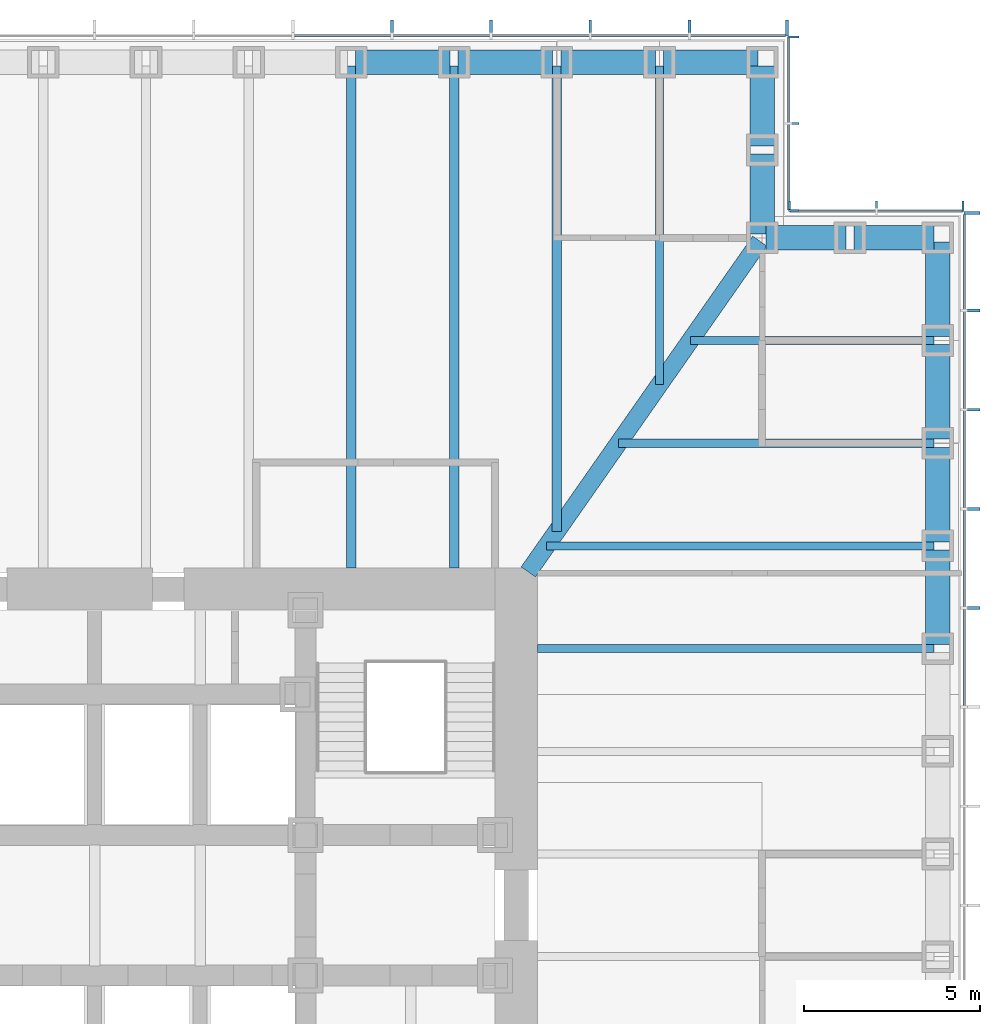
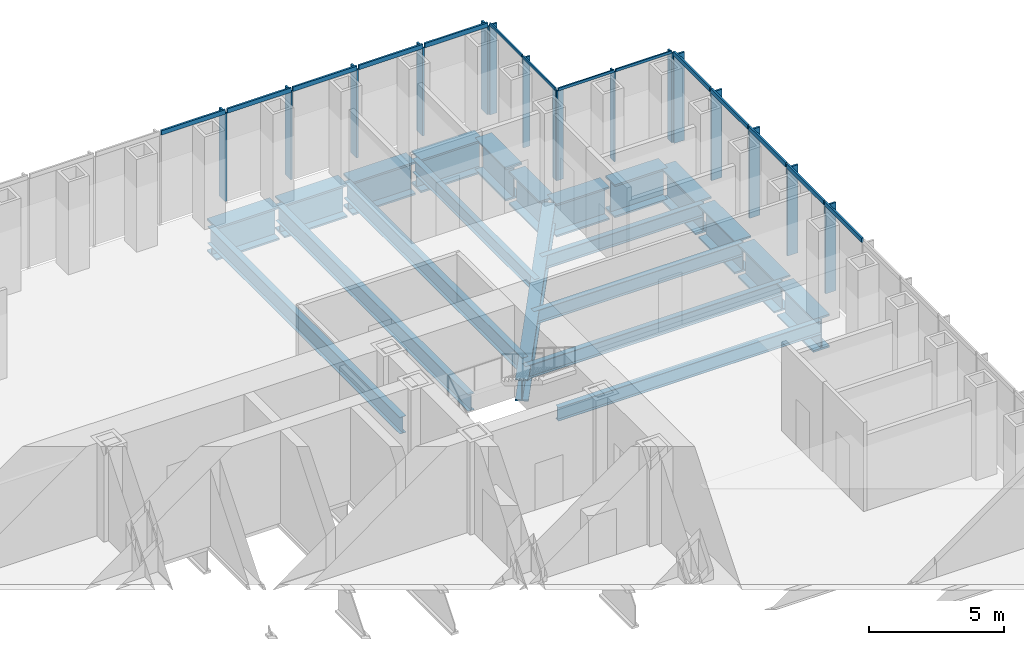
# One storey, part 6 of 17: 30 members, 21 beams, 4 elements without a shape of their own.
"""IFC4 building model written with IfcOpenShell, lengths in metres."""

from ifc_helpers import new_model, si_unit, direction, frame, origin, origin_2d, place, context, subcontext, project, spatial, rectangle, i_section, extrude, material, material_profile, profile_set, type_object, element, aggregate, save


model = new_model("IFC4")

# Units and contexts
model_context = context("Model", 3, precision=1e-05, world=origin(), true_north=direction((0.0, 1.0)))
body_context = subcontext(model_context, "Body", "Model", "MODEL_VIEW")
ifc_project = project(units=[si_unit("LENGTHUNIT", "METRE"), si_unit("AREAUNIT", "SQUARE_METRE"), si_unit("VOLUMEUNIT", "CUBIC_METRE"), si_unit("PLANEANGLEUNIT", "RADIAN"), si_unit("MASSUNIT", "GRAM", prefix="KILO")], contexts=[model_context])

# Site, building, storey
site_placement = place(None, origin())
site = spatial("IfcSite", under=ifc_project, at=site_placement, CompositionType="ELEMENT")
building_placement = place(site_placement, origin())
building = spatial("IfcBuilding", under=site, at=building_placement, Name="Daluyong Arena Tower", CompositionType="ELEMENT")
storey_placement = place(building_placement, frame((0.0, 0.0, 60.10009765625)))
storey = spatial("IfcBuildingStorey", under=building, at=storey_placement, Name="L12", CompositionType="ELEMENT", Elevation=60.10009765625)

# Curtain wall, members
ifc_material_1 = material(Name="Bronze anodised aluminium and glass", Category="aluminium")
curtain_wall_type_1 = type_object("IfcCurtainWallType", Name="Curtain wall CW1", PredefinedType="USERDEFINED", material=ifc_material_1)
curtain_wall_1_placement = place(storey_placement, origin())
curtain_wall_1 = element("IfcCurtainWall", 1, at=curtain_wall_1_placement, inside=storey, type_object=curtain_wall_type_1, Name="curtain wall L12 E", ObjectType="UNITISED CURTAIN WALL", PredefinedType="USERDEFINED")
ifc_material_2 = material(Name="Bronze anodised aluminium fin", Category="aluminium")
ifc_material_profile_1 = material_profile(ifc_material_2, rectangle(XDim=0.449951171875, YDim=0.080078125, at=origin_2d()))
ifc_profile_set_1 = profile_set([ifc_material_profile_1], Name="Bronze anodised aluminium fin")
member_type_1 = type_object("IfcMemberType", Name="CW1 bronze fin 450x80", PredefinedType="MULLION", material=ifc_profile_set_1)
member_1_placement = place(storey_placement, frame((80.97509765625, 88.46435546875, 0.0), z_axis=(0.0, 0.0, 1.0), x_axis=(-1.0, 0.0, 0.0)))
member_1 = element("IfcMember", 2, at=member_1_placement, type_object=member_type_1, Name="curtain wall L12 E fin 11", PredefinedType="MULLION", context=body_context, shape_type="SweptSolid", body=[
    extrude(rectangle(XDim=0.449951171875, YDim=0.080078125, at=origin_2d()), origin(), (0.0, 0.0, 1.0), 4.0),
])
member_2_placement = place(storey_placement, frame((80.97509765625, 91.28564453125, 0.0), z_axis=(0.0, 0.0, 1.0), x_axis=(-1.0, 0.0, 0.0)))
member_2 = element("IfcMember", 3, at=member_2_placement, type_object=member_type_1, Name="curtain wall L12 E fin 12", PredefinedType="MULLION", context=body_context, shape_type="SweptSolid", body=[
    extrude(rectangle(XDim=0.449951171875, YDim=0.080078125, at=origin_2d()), origin(), (0.0, 0.0, 1.0), 4.0),
])
member_3_placement = place(storey_placement, frame((80.97509765625, 94.107177734375, 0.0), z_axis=(0.0, 0.0, 1.0), x_axis=(-1.0, 0.0, 0.0)))
member_3 = element("IfcMember", 4, at=member_3_placement, type_object=member_type_1, Name="curtain wall L12 E fin 13", PredefinedType="MULLION", context=body_context, shape_type="SweptSolid", body=[
    extrude(rectangle(XDim=0.449951171875, YDim=0.080078125, at=origin_2d()), origin(), (0.0, 0.0, 1.0), 4.0),
])
member_4_placement = place(storey_placement, frame((80.97509765625, 96.928466796875, 0.0), z_axis=(0.0, 0.0, 1.0), x_axis=(-1.0, 0.0, 0.0)))
member_4 = element("IfcMember", 5, at=member_4_placement, type_object=member_type_1, Name="curtain wall L12 E fin 14", PredefinedType="MULLION", context=body_context, shape_type="SweptSolid", body=[
    extrude(rectangle(XDim=0.449951171875, YDim=0.080078125, at=origin_2d()), origin(), (0.0, 0.0, 1.0), 4.0),
])
member_5_placement = place(storey_placement, frame((80.97509765625, 99.7099609375, 0.0), z_axis=(0.0, 0.0, 1.0), x_axis=(-1.0, 0.0, 0.0)))
member_5 = element("IfcMember", 6, at=member_5_placement, type_object=member_type_1, Name="curtain wall L12 E fin 15", PredefinedType="MULLION", context=body_context, shape_type="SweptSolid", body=[
    extrude(rectangle(XDim=0.449951171875, YDim=0.080078125, at=origin_2d()), origin(), (0.0, 0.0, 1.0), 4.0),
])

curtain_wall_2_placement = place(storey_placement, origin())
curtain_wall_2 = element("IfcCurtainWall", 7, at=curtain_wall_2_placement, inside=storey, type_object=curtain_wall_type_1, Name="curtain wall L12 N", ObjectType="UNITISED CURTAIN WALL", PredefinedType="USERDEFINED")
member_6_placement = place(storey_placement, frame((75.7099609375, 104.97509765625, 0.0), z_axis=(0.0, 0.0, 1.0), x_axis=(0.0, -1.0, 0.0)))
member_6 = element("IfcMember", 8, at=member_6_placement, type_object=member_type_1, Name="curtain wall L12 N fin 1", PredefinedType="MULLION", context=body_context, shape_type="SweptSolid", body=[
    extrude(rectangle(XDim=0.449951171875, YDim=0.080078125, at=origin_2d()), origin(), (0.0, 0.0, 1.0), 4.0),
])
member_7_placement = place(storey_placement, frame((72.928466796875, 104.97509765625, 0.0), z_axis=(0.0, 0.0, 1.0), x_axis=(0.0, -1.0, 0.0)))
member_7 = element("IfcMember", 9, at=member_7_placement, type_object=member_type_1, Name="curtain wall L12 N fin 2", PredefinedType="MULLION", context=body_context, shape_type="SweptSolid", body=[
    extrude(rectangle(XDim=0.449951171875, YDim=0.080078125, at=origin_2d()), origin(), (0.0, 0.0, 1.0), 4.0),
])
member_8_placement = place(storey_placement, frame((70.107177734375, 104.97509765625, 0.0), z_axis=(0.0, 0.0, 1.0), x_axis=(0.0, -1.0, 0.0)))
member_8 = element("IfcMember", 10, at=member_8_placement, type_object=member_type_1, Name="curtain wall L12 N fin 3", PredefinedType="MULLION", context=body_context, shape_type="SweptSolid", body=[
    extrude(rectangle(XDim=0.449951171875, YDim=0.080078125, at=origin_2d()), origin(), (0.0, 0.0, 1.0), 4.0),
])
member_9_placement = place(storey_placement, frame((67.28564453125, 104.97509765625, 0.0), z_axis=(0.0, 0.0, 1.0), x_axis=(0.0, -1.0, 0.0)))
member_9 = element("IfcMember", 11, at=member_9_placement, type_object=member_type_1, Name="curtain wall L12 N fin 4", PredefinedType="MULLION", context=body_context, shape_type="SweptSolid", body=[
    extrude(rectangle(XDim=0.449951171875, YDim=0.080078125, at=origin_2d()), origin(), (0.0, 0.0, 1.0), 4.0),
])
member_10_placement = place(storey_placement, frame((64.46435546875, 104.97509765625, 0.0), z_axis=(0.0, 0.0, 1.0), x_axis=(0.0, -1.0, 0.0)))
member_10 = element("IfcMember", 12, at=member_10_placement, type_object=member_type_1, Name="curtain wall L12 N fin 5", PredefinedType="MULLION", context=body_context, shape_type="SweptSolid", body=[
    extrude(rectangle(XDim=0.449951171875, YDim=0.080078125, at=origin_2d()), origin(), (0.0, 0.0, 1.0), 4.0),
])

# Member
ifc_material_3 = material(Name="Bronze anodised aluminium", Category="aluminium")
ifc_material_profile_2 = material_profile(ifc_material_3, rectangle(XDim=0.080078125, YDim=0.199951171875, at=origin_2d()))
ifc_profile_set_2 = profile_set([ifc_material_profile_2], Name="Bronze anodised aluminium")
member_type_2 = type_object("IfcMemberType", Name="CW1 stack transom 200x80", PredefinedType="USERDEFINED", material=ifc_profile_set_2)
member_11_placement = place(storey_placement, frame((80.75, 85.682861328125, 4.099853515625), z_axis=(0.0, 1.0, 0.0), x_axis=(-1.0, 0.0, 0.0)))
member_11 = element("IfcMember", 13, at=member_11_placement, type_object=member_type_2, Name="curtain wall L12 E transom 10", ObjectType="TRANSOM", PredefinedType="USERDEFINED", context=body_context, shape_type="SweptSolid", body=[
    extrude(rectangle(XDim=0.080078125, YDim=0.199951171875, at=origin_2d()), origin(), (0.0, 0.0, 1.0), 2.741455078125),
])

member_12_placement = place(storey_placement, frame((80.75, 88.50439453125, 4.099853515625), z_axis=(0.0, 1.0, 0.0), x_axis=(-1.0, 0.0, 0.0)))
member_12 = element("IfcMember", 14, at=member_12_placement, type_object=member_type_2, Name="curtain wall L12 E transom 11", ObjectType="TRANSOM", PredefinedType="USERDEFINED", context=body_context, shape_type="SweptSolid", body=[
    extrude(rectangle(XDim=0.080078125, YDim=0.199951171875, at=origin_2d()), origin(), (0.0, 0.0, 1.0), 2.7412109375),
])

member_13_placement = place(storey_placement, frame((80.75, 91.32568359375, 4.099853515625), z_axis=(0.0, 1.0, 0.0), x_axis=(-1.0, 0.0, 0.0)))
member_13 = element("IfcMember", 15, at=member_13_placement, type_object=member_type_2, Name="curtain wall L12 E transom 12", ObjectType="TRANSOM", PredefinedType="USERDEFINED", context=body_context, shape_type="SweptSolid", body=[
    extrude(rectangle(XDim=0.080078125, YDim=0.199951171875, at=origin_2d()), origin(), (0.0, 0.0, 1.0), 2.741455078125),
])

member_14_placement = place(storey_placement, frame((80.75, 94.147216796875, 4.099853515625), z_axis=(0.0, 1.0, 0.0), x_axis=(-1.0, 0.0, 0.0)))
member_14 = element("IfcMember", 16, at=member_14_placement, type_object=member_type_2, Name="curtain wall L12 E transom 13", ObjectType="TRANSOM", PredefinedType="USERDEFINED", context=body_context, shape_type="SweptSolid", body=[
    extrude(rectangle(XDim=0.080078125, YDim=0.199951171875, at=origin_2d()), origin(), (0.0, 0.0, 1.0), 2.741455078125),
])

member_15_placement = place(storey_placement, frame((80.75, 96.968505859375, 4.099853515625), z_axis=(0.0, 1.0, 0.0), x_axis=(-1.0, 0.0, 0.0)))
member_15 = element("IfcMember", 17, at=member_15_placement, type_object=member_type_2, Name="curtain wall L12 E transom 14", ObjectType="TRANSOM", PredefinedType="USERDEFINED", context=body_context, shape_type="SweptSolid", body=[
    extrude(rectangle(XDim=0.080078125, YDim=0.199951171875, at=origin_2d()), origin(), (0.0, 0.0, 1.0), 2.701416015625),
])

aggregate(curtain_wall_1, [member_1, member_2, member_3, member_4, member_5, member_11, member_12, member_13, member_14, member_15])

member_16_placement = place(storey_placement, frame((75.669921875, 104.75, 4.099853515625), z_axis=(-1.0, 0.0, 0.0), x_axis=(0.0, -1.0, 0.0)))
member_16 = element("IfcMember", 18, at=member_16_placement, type_object=member_type_2, Name="curtain wall L12 N transom 1", ObjectType="TRANSOM", PredefinedType="USERDEFINED", context=body_context, shape_type="SweptSolid", body=[
    extrude(rectangle(XDim=0.080078125, YDim=0.199951171875, at=origin_2d()), origin(), (0.0, 0.0, 1.0), 2.701416015625),
])

member_17_placement = place(storey_placement, frame((72.888671875, 104.75, 4.099853515625), z_axis=(-1.0, 0.0, 0.0), x_axis=(0.0, -1.0, 0.0)))
member_17 = element("IfcMember", 19, at=member_17_placement, type_object=member_type_2, Name="curtain wall L12 N transom 2", ObjectType="TRANSOM", PredefinedType="USERDEFINED", context=body_context, shape_type="SweptSolid", body=[
    extrude(rectangle(XDim=0.080078125, YDim=0.199951171875, at=origin_2d()), origin(), (0.0, 0.0, 1.0), 2.741455078125),
])

member_18_placement = place(storey_placement, frame((70.067138671875, 104.75, 4.099853515625), z_axis=(-1.0, 0.0, 0.0), x_axis=(0.0, -1.0, 0.0)))
member_18 = element("IfcMember", 20, at=member_18_placement, type_object=member_type_2, Name="curtain wall L12 N transom 3", ObjectType="TRANSOM", PredefinedType="USERDEFINED", context=body_context, shape_type="SweptSolid", body=[
    extrude(rectangle(XDim=0.080078125, YDim=0.199951171875, at=origin_2d()), origin(), (0.0, 0.0, 1.0), 2.741455078125),
])

member_19_placement = place(storey_placement, frame((67.24560546875, 104.75, 4.099853515625), z_axis=(-1.0, 0.0, 0.0), x_axis=(0.0, -1.0, 0.0)))
member_19 = element("IfcMember", 21, at=member_19_placement, type_object=member_type_2, Name="curtain wall L12 N transom 4", ObjectType="TRANSOM", PredefinedType="USERDEFINED", context=body_context, shape_type="SweptSolid", body=[
    extrude(rectangle(XDim=0.080078125, YDim=0.199951171875, at=origin_2d()), origin(), (0.0, 0.0, 1.0), 2.7412109375),
])

member_20_placement = place(storey_placement, frame((64.42431640625, 104.75, 4.099853515625), z_axis=(-1.0, 0.0, 0.0), x_axis=(0.0, -1.0, 0.0)))
member_20 = element("IfcMember", 22, at=member_20_placement, type_object=member_type_2, Name="curtain wall L12 N transom 5", ObjectType="TRANSOM", PredefinedType="USERDEFINED", context=body_context, shape_type="SweptSolid", body=[
    extrude(rectangle(XDim=0.080078125, YDim=0.199951171875, at=origin_2d()), origin(), (0.0, 0.0, 1.0), 2.741455078125),
])

aggregate(curtain_wall_2, [member_6, member_7, member_8, member_9, member_10, member_16, member_17, member_18, member_19, member_20])

# Curtain wall, members
ifc_material_4 = material(Name="Bronze anodised aluminium and glass", Category="aluminium")
curtain_wall_type_2 = type_object("IfcCurtainWallType", Name="Curtain wall CW7", PredefinedType="USERDEFINED", material=ifc_material_4)
curtain_wall_3_placement = place(storey_placement, origin())
curtain_wall_3 = element("IfcCurtainWall", 23, at=curtain_wall_3_placement, inside=storey, type_object=curtain_wall_type_2, Name="curtain wall L12 NE-N", ObjectType="UNITISED CURTAIN WALL", PredefinedType="USERDEFINED")
ifc_material_5 = material(Name="Bronze anodised aluminium fin", Category="aluminium")
ifc_material_profile_3 = material_profile(ifc_material_5, rectangle(XDim=0.300048828125, YDim=0.06005859375, at=origin_2d()))
ifc_profile_set_3 = profile_set([ifc_material_profile_3], Name="Bronze anodised aluminium fin")
member_type_3 = type_object("IfcMemberType", Name="CW7 bronze fin 300x60", PredefinedType="MULLION", material=ifc_profile_set_3)
member_21_placement = place(storey_placement, frame((80.719970703125, 99.89990234375, 0.0), z_axis=(0.0, 0.0, 1.0), x_axis=(0.0, -1.0, 0.0)))
member_21 = element("IfcMember", 24, at=member_21_placement, type_object=member_type_3, Name="curtain wall L12 NE-N fin 1", PredefinedType="MULLION", context=body_context, shape_type="SweptSolid", body=[
    extrude(rectangle(XDim=0.300048828125, YDim=0.06005859375, at=origin_2d()), origin(), (0.0, 0.0, 1.0), 4.079833984375),
])
member_22_placement = place(storey_placement, frame((78.25, 99.89990234375, 0.0), z_axis=(0.0, 0.0, 1.0), x_axis=(0.0, -1.0, 0.0)))
member_22 = element("IfcMember", 25, at=member_22_placement, type_object=member_type_3, Name="curtain wall L12 NE-N fin 2", PredefinedType="MULLION", context=body_context, shape_type="SweptSolid", body=[
    extrude(rectangle(XDim=0.300048828125, YDim=0.06005859375, at=origin_2d()), origin(), (0.0, 0.0, 1.0), 4.079833984375),
])
member_23_placement = place(storey_placement, frame((75.780029296875, 99.89990234375, 0.0), z_axis=(0.0, 0.0, 1.0), x_axis=(0.0, -1.0, 0.0)))
member_23 = element("IfcMember", 26, at=member_23_placement, type_object=member_type_3, Name="curtain wall L12 NE-N fin 3", PredefinedType="MULLION", context=body_context, shape_type="SweptSolid", body=[
    extrude(rectangle(XDim=0.300048828125, YDim=0.06005859375, at=origin_2d()), origin(), (0.0, 0.0, 1.0), 4.079833984375),
])

curtain_wall_4_placement = place(storey_placement, origin())
curtain_wall_4 = element("IfcCurtainWall", 27, at=curtain_wall_4_placement, inside=storey, type_object=curtain_wall_type_2, Name="curtain wall L12 NE-E", ObjectType="UNITISED CURTAIN WALL", PredefinedType="USERDEFINED")
member_24_placement = place(storey_placement, frame((75.89990234375, 99.780029296875, 0.0), z_axis=(0.0, 0.0, 1.0), x_axis=(-1.0, 0.0, 0.0)))
member_24 = element("IfcMember", 28, at=member_24_placement, type_object=member_type_3, Name="curtain wall L12 NE-E fin 1", PredefinedType="MULLION", context=body_context, shape_type="SweptSolid", body=[
    extrude(rectangle(XDim=0.300048828125, YDim=0.06005859375, at=origin_2d()), origin(), (0.0, 0.0, 1.0), 4.079833984375),
])
member_25_placement = place(storey_placement, frame((75.89990234375, 102.25, 0.0), z_axis=(0.0, 0.0, 1.0), x_axis=(-1.0, 0.0, 0.0)))
member_25 = element("IfcMember", 29, at=member_25_placement, type_object=member_type_3, Name="curtain wall L12 NE-E fin 2", PredefinedType="MULLION", context=body_context, shape_type="SweptSolid", body=[
    extrude(rectangle(XDim=0.300048828125, YDim=0.06005859375, at=origin_2d()), origin(), (0.0, 0.0, 1.0), 4.079833984375),
])
member_26_placement = place(storey_placement, frame((75.89990234375, 104.719970703125, 0.0), z_axis=(0.0, 0.0, 1.0), x_axis=(-1.0, 0.0, 0.0)))
member_26 = element("IfcMember", 30, at=member_26_placement, type_object=member_type_3, Name="curtain wall L12 NE-E fin 3", PredefinedType="MULLION", context=body_context, shape_type="SweptSolid", body=[
    extrude(rectangle(XDim=0.300048828125, YDim=0.06005859375, at=origin_2d()), origin(), (0.0, 0.0, 1.0), 4.079833984375),
])

# Member
ifc_material_6 = material(Name="Bronze anodised aluminium", Category="aluminium")
ifc_material_profile_4 = material_profile(ifc_material_6, rectangle(XDim=0.06005859375, YDim=0.1201171875, at=origin_2d()))
ifc_profile_set_4 = profile_set([ifc_material_profile_4], Name="Bronze anodised aluminium")
member_type_4 = type_object("IfcMemberType", Name="CW7 stack transom 120x60", PredefinedType="USERDEFINED", material=ifc_profile_set_4)
member_27_placement = place(storey_placement, frame((80.68994140625, 99.75, 4.139892578125), z_axis=(-1.0, 0.0, 0.0), x_axis=(0.0, -1.0, 0.0)))
member_27 = element("IfcMember", 31, at=member_27_placement, type_object=member_type_4, Name="curtain wall L12 NE-N transom 1", ObjectType="TRANSOM", PredefinedType="USERDEFINED", context=body_context, shape_type="SweptSolid", body=[
    extrude(rectangle(XDim=0.06005859375, YDim=0.1201171875, at=origin_2d()), origin(), (0.0, 0.0, 1.0), 2.409912109375),
])

member_28_placement = place(storey_placement, frame((78.219970703125, 99.75, 4.139892578125), z_axis=(-1.0, 0.0, 0.0), x_axis=(0.0, -1.0, 0.0)))
member_28 = element("IfcMember", 32, at=member_28_placement, type_object=member_type_4, Name="curtain wall L12 NE-N transom 2", ObjectType="TRANSOM", PredefinedType="USERDEFINED", context=body_context, shape_type="SweptSolid", body=[
    extrude(rectangle(XDim=0.06005859375, YDim=0.1201171875, at=origin_2d()), origin(), (0.0, 0.0, 1.0), 2.409912109375),
])

aggregate(curtain_wall_3, [member_21, member_22, member_23, member_27, member_28])

member_29_placement = place(storey_placement, frame((75.75, 99.81005859375, 4.139892578125), z_axis=(0.0, 1.0, 0.0), x_axis=(-1.0, 0.0, 0.0)))
member_29 = element("IfcMember", 33, at=member_29_placement, type_object=member_type_4, Name="curtain wall L12 NE-E transom 1", ObjectType="TRANSOM", PredefinedType="USERDEFINED", context=body_context, shape_type="SweptSolid", body=[
    extrude(rectangle(XDim=0.06005859375, YDim=0.1201171875, at=origin_2d()), origin(), (0.0, 0.0, 1.0), 2.409912109375),
])

member_30_placement = place(storey_placement, frame((75.75, 102.280029296875, 4.139892578125), z_axis=(0.0, 1.0, 0.0), x_axis=(-1.0, 0.0, 0.0)))
member_30 = element("IfcMember", 34, at=member_30_placement, type_object=member_type_4, Name="curtain wall L12 NE-E transom 2", ObjectType="TRANSOM", PredefinedType="USERDEFINED", context=body_context, shape_type="SweptSolid", body=[
    extrude(rectangle(XDim=0.06005859375, YDim=0.1201171875, at=origin_2d()), origin(), (0.0, 0.0, 1.0), 2.409912109375),
])

aggregate(curtain_wall_4, [member_24, member_25, member_26, member_29, member_30])

# Beams
ifc_material_7 = material(Name="Steel ASTM A572 Grade 50", Category="steel")
ifc_material_profile_5 = material_profile(ifc_material_7, i_section(OverallWidth=0.5, OverallDepth=1.0, WebThickness=0.03, FlangeThickness=0.06, at=origin_2d()))
ifc_profile_set_5 = profile_set([ifc_material_profile_5], Name="Steel ASTM A572 Grade 50")
beam_type_1 = type_object("IfcBeamType", Name="Corner girder TB1000X500", PredefinedType="BEAM", material=ifc_profile_set_5)
beam_1_placement = place(storey_placement, frame((74.93408203125, 98.90576171875, -0.66015625), z_axis=(-0.573466621875, -0.819228926244, 0.0), x_axis=(0.819228926244, -0.573466621875, 0.0)))
element("IfcBeam", 35, at=beam_1_placement, inside=storey, type_object=beam_type_1, Name="corner girder DG2", PredefinedType="BEAM", context=body_context, shape_type="SweptSolid", body=[
    extrude(i_section(OverallWidth=0.5, OverallDepth=1.0, WebThickness=0.03, FlangeThickness=0.06, at=origin_2d()), origin(), (0.0, 0.0, 1.0), 11.49169921875),
])
ifc_material_8 = material(Name="Steel ASTM A992 Grade 50", Category="steel")
ifc_material_profile_6 = material_profile(ifc_material_8, i_section(OverallWidth=0.22900390625, OverallDepth=0.612060546875, WebThickness=0.011962890625, FlangeThickness=0.01953125, at=origin_2d()))
ifc_profile_set_6 = profile_set([ifc_material_profile_6], Name="Steel ASTM A992 Grade 50")
beam_type_2 = type_object("IfcBeamType", Name="Floor beam W24X84", PredefinedType="BEAM", material=ifc_profile_set_6)
beam_2_placement = place(storey_placement, frame((79.885009765625, 87.3076171875, -0.466064453125), z_axis=(-1.0, 0.0, 0.0), x_axis=(0.0, -1.0, 0.0)))
element("IfcBeam", 36, at=beam_2_placement, inside=storey, type_object=beam_type_2, Name="floor beam FB3", PredefinedType="BEAM", context=body_context, shape_type="SweptSolid", body=[
    extrude(i_section(OverallWidth=0.22900390625, OverallDepth=0.612060546875, WebThickness=0.011962890625, FlangeThickness=0.01953125, at=origin_2d()), origin(), (0.0, 0.0, 1.0), 11.284912109375),
])
beam_3_placement = place(storey_placement, frame((79.885009765625, 90.230712890625, -0.466064453125), z_axis=(-1.0, 0.0, 0.0), x_axis=(0.0, -1.0, 0.0)))
element("IfcBeam", 37, at=beam_3_placement, inside=storey, type_object=beam_type_2, Name="floor beam FB3", PredefinedType="BEAM", context=body_context, shape_type="SweptSolid", body=[
    extrude(i_section(OverallWidth=0.22900390625, OverallDepth=0.612060546875, WebThickness=0.011962890625, FlangeThickness=0.01953125, at=origin_2d()), origin(), (0.0, 0.0, 1.0), 11.0234375),
])
beam_4_placement = place(storey_placement, frame((79.885009765625, 93.15380859375, -0.466064453125), z_axis=(-1.0, 0.0, 0.0), x_axis=(0.0, -1.0, 0.0)))
element("IfcBeam", 38, at=beam_4_placement, inside=storey, type_object=beam_type_2, Name="floor beam FB3", PredefinedType="BEAM", context=body_context, shape_type="SweptSolid", body=[
    extrude(i_section(OverallWidth=0.22900390625, OverallDepth=0.612060546875, WebThickness=0.011962890625, FlangeThickness=0.01953125, at=origin_2d()), origin(), (0.0, 0.0, 1.0), 8.977294921875),
])
beam_5_placement = place(storey_placement, frame((79.885009765625, 96.076904296875, -0.466064453125), z_axis=(-1.0, 0.0, 0.0), x_axis=(0.0, -1.0, 0.0)))
element("IfcBeam", 39, at=beam_5_placement, inside=storey, type_object=beam_type_2, Name="floor beam FB3", PredefinedType="BEAM", context=body_context, shape_type="SweptSolid", body=[
    extrude(i_section(OverallWidth=0.22900390625, OverallDepth=0.612060546875, WebThickness=0.011962890625, FlangeThickness=0.01953125, at=origin_2d()), origin(), (0.0, 0.0, 1.0), 6.93115234375),
])
beam_6_placement = place(storey_placement, frame((72.076904296875, 103.885009765625, -0.466064453125), z_axis=(0.0, -1.0, 0.0), x_axis=(1.0, 0.0, 0.0)))
element("IfcBeam", 40, at=beam_6_placement, inside=storey, type_object=beam_type_2, Name="floor beam FB3", PredefinedType="BEAM", context=body_context, shape_type="SweptSolid", body=[
    extrude(i_section(OverallWidth=0.22900390625, OverallDepth=0.612060546875, WebThickness=0.011962890625, FlangeThickness=0.01953125, at=origin_2d()), origin(), (0.0, 0.0, 1.0), 9.060791015625),
])
ifc_material_9 = material(Name="Steel ASTM A992 Grade 50", Category="steel")
ifc_material_profile_7 = material_profile(ifc_material_9, i_section(OverallWidth=0.2666015625, OverallDepth=0.761962890625, WebThickness=0.014404296875, FlangeThickness=0.021484375, at=origin_2d()))
ifc_profile_set_7 = profile_set([ifc_material_profile_7], Name="Steel ASTM A992 Grade 50")
beam_type_3 = type_object("IfcBeamType", Name="Floor beam W30X116", PredefinedType="BEAM", material=ifc_profile_set_7)
beam_7_placement = place(storey_placement, frame((69.15380859375, 103.885009765625, -0.541015625), z_axis=(0.0, -1.0, 0.0), x_axis=(1.0, 0.0, 0.0)))
element("IfcBeam", 41, at=beam_7_placement, inside=storey, type_object=beam_type_3, Name="floor beam FB4", PredefinedType="BEAM", context=body_context, shape_type="SweptSolid", body=[
    extrude(i_section(OverallWidth=0.2666015625, OverallDepth=0.761962890625, WebThickness=0.014404296875, FlangeThickness=0.021484375, at=origin_2d()), origin(), (0.0, 0.0, 1.0), 13.236572265625),
])
for number, where, z_axis, x_axis, name in (
    (42, (66.230712890625, 103.885009765625, -0.541015625), (0.0, -1.0, 0.0), (1.0, 0.0, 0.0), "floor beam FB4"),
    (43, (63.3076171875, 103.885009765625, -0.541015625), (0.0, -1.0, 0.0), (1.0, 0.0, 0.0), "floor beam FB4"),
):
    element("IfcBeam", number, at=place(storey_placement, frame(where, z_axis=z_axis, x_axis=x_axis)), inside=storey, type_object=beam_type_3, Name=name, PredefinedType="BEAM", context=body_context, shape_type="SweptSolid", body=[
        extrude(i_section(OverallWidth=0.2666015625, OverallDepth=0.761962890625, WebThickness=0.014404296875, FlangeThickness=0.021484375, at=origin_2d()), origin(), (0.0, 0.0, 1.0), 14.284912109375),
    ])
ifc_material_10 = material(Name="Steel ASTM A572 Grade 50", Category="steel")
ifc_material_profile_8 = material_profile(ifc_material_10, i_section(OverallWidth=0.699951171875, OverallDepth=1.5, WebThickness=0.04, FlangeThickness=0.08, at=origin_2d()))
ifc_profile_set_8 = profile_set([ifc_material_profile_8], Name="Steel ASTM A572 Grade 50")
beam_type_4 = type_object("IfcBeamType", Name="Spandrel Z1 PG1500X700", PredefinedType="SPANDREL", material=ifc_profile_set_8)
for number, where, z_axis, x_axis, name in (
    (44, (80.0, 87.422607421875, -0.91015625), (0.0, 1.0, 0.0), (-1.0, 0.0, 0.0), "spandrel z1 SB4"),
    (45, (80.0, 90.345703125, -0.91015625), (0.0, 1.0, 0.0), (-1.0, 0.0, 0.0), "spandrel z1 SB4"),
    (46, (80.0, 93.268798828125, -0.91015625), (0.0, 1.0, 0.0), (-1.0, 0.0, 0.0), "spandrel z1 SB4"),
    (47, (80.0, 96.19189453125, -0.91015625), (0.0, 1.0, 0.0), (-1.0, 0.0, 0.0), "spandrel z1 SB4"),
):
    element("IfcBeam", number, at=place(storey_placement, frame(where, z_axis=z_axis, x_axis=x_axis)), inside=storey, type_object=beam_type_4, Name=name, PredefinedType="SPANDREL", context=body_context, shape_type="SweptSolid", body=[
        extrude(i_section(OverallWidth=0.699951171875, OverallDepth=1.5, WebThickness=0.04, FlangeThickness=0.08, at=origin_2d()), origin(), (0.0, 0.0, 1.0), 2.693115234375),
    ])
for number, where, z_axis, x_axis, name in (
    (48, (79.885009765625, 99.0, -0.91015625), (-1.0, 0.0, 0.0), (0.0, -1.0, 0.0), "spandrel z1 SB4"),
    (49, (77.385009765625, 99.0, -0.91015625), (-1.0, 0.0, 0.0), (0.0, -1.0, 0.0), "spandrel z1 SB4"),
    (50, (75.0, 99.114990234375, -0.91015625), (0.0, 1.0, 0.0), (-1.0, 0.0, 0.0), "spandrel z1 SB4"),
    (51, (75.0, 101.614990234375, -0.91015625), (0.0, 1.0, 0.0), (-1.0, 0.0, 0.0), "spandrel z1 SB4"),
):
    element("IfcBeam", number, at=place(storey_placement, frame(where, z_axis=z_axis, x_axis=x_axis)), inside=storey, type_object=beam_type_4, Name=name, PredefinedType="SPANDREL", context=body_context, shape_type="SweptSolid", body=[
        extrude(i_section(OverallWidth=0.699951171875, OverallDepth=1.5, WebThickness=0.04, FlangeThickness=0.08, at=origin_2d()), origin(), (0.0, 0.0, 1.0), 2.27001953125),
    ])
for number, where, z_axis, x_axis, name in (
    (52, (74.885009765625, 104.0, -0.91015625), (-1.0, 0.0, 0.0), (0.0, -1.0, 0.0), "spandrel z1 SB4"),
    (53, (71.9619140625, 104.0, -0.91015625), (-1.0, 0.0, 0.0), (0.0, -1.0, 0.0), "spandrel z1 SB4"),
    (54, (69.038818359375, 104.0, -0.91015625), (-1.0, 0.0, 0.0), (0.0, -1.0, 0.0), "spandrel z1 SB4"),
    (55, (66.11572265625, 104.0, -0.91015625), (-1.0, 0.0, 0.0), (0.0, -1.0, 0.0), "spandrel z1 SB4"),
):
    element("IfcBeam", number, at=place(storey_placement, frame(where, z_axis=z_axis, x_axis=x_axis)), inside=storey, type_object=beam_type_4, Name=name, PredefinedType="SPANDREL", context=body_context, shape_type="SweptSolid", body=[
        extrude(i_section(OverallWidth=0.699951171875, OverallDepth=1.5, WebThickness=0.04, FlangeThickness=0.08, at=origin_2d()), origin(), (0.0, 0.0, 1.0), 2.693115234375),
    ])

save(model, "model.ifc")
